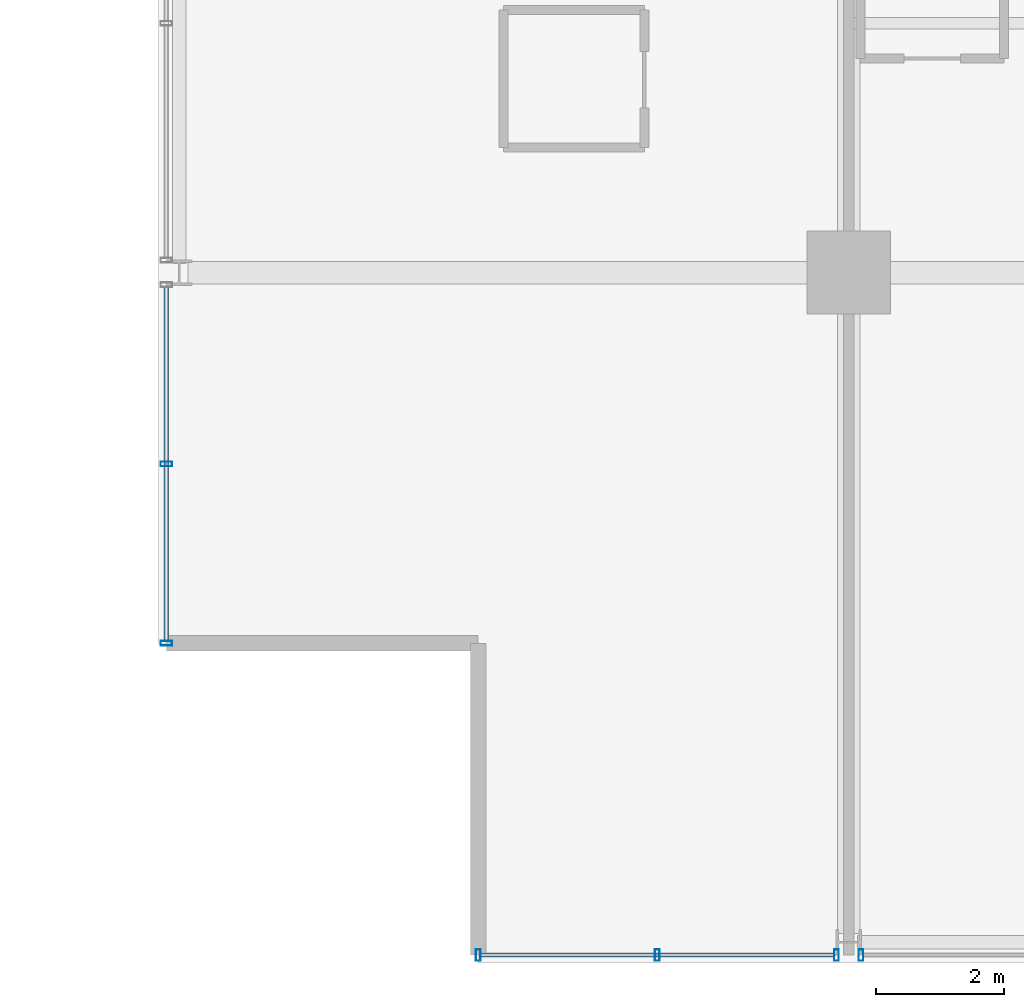
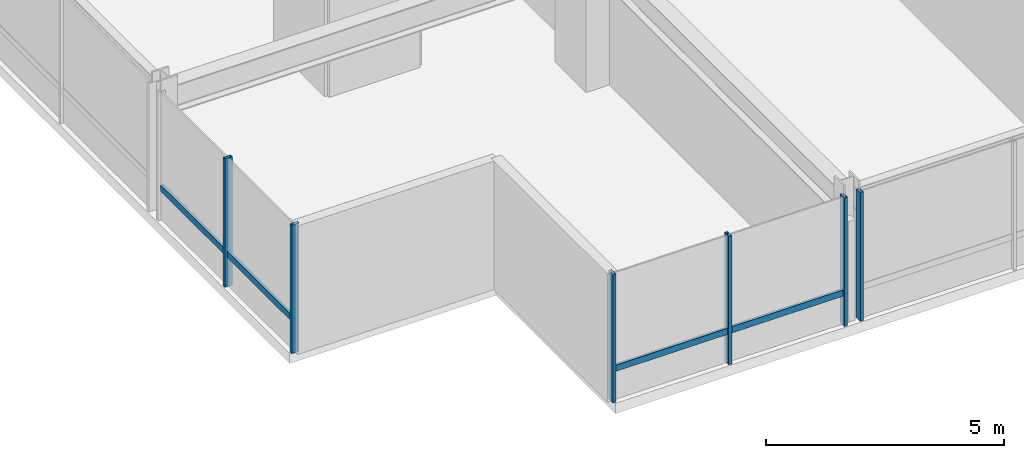
# One storey, part 2 of 32: 8 members, 3 elements without a shape of their own.
"""IFC4 building model written with IfcOpenShell, lengths in metres."""

import ifcopenshell
import ifcopenshell.guid

model = None  # the IFC model being written
_history = None  # IfcOwnerHistory: only IFC2X3 demands one
_inside = {}  # id of a spatial element -> (the spatial element, [elements in it])
_under = {}  # id of a project, library or spatial element -> (it, [spatial elements below it])
_declared = {}  # id of a project -> (the project, [libraries it declares])
_typed = {}  # id of a type object -> (the type object, [elements of that type])
_made_of = {}  # id of a material, layer set ... -> (it, [elements and type objects made of it])


def new_model(schema):
    """Start an empty IFC model of exactly this schema.

    Asked for "IFC4X3", IfcOpenShell would pick the latest addendum, in which some entities
    have other attributes; the version numbers below select the first issue.
    IFC2X3 requires an IfcOwnerHistory on every rooted entity: one is made here for all.
    """
    global model, _history
    if schema == "IFC4X3":
        model = ifcopenshell.file(schema_version=(4, 3, 0, 0))
    else:
        model = ifcopenshell.file(schema=schema)
    _inside.clear()
    _under.clear()
    _declared.clear()
    _typed.clear()
    _made_of.clear()
    _history = None
    if model.schema == "IFC2X3":
        org = make("IfcOrganization", Name="unknown")
        user = make(
            "IfcPersonAndOrganization",
            ThePerson=make("IfcPerson", FamilyName="unknown"),
            TheOrganization=org,
        )
        app = make(
            "IfcApplication",
            ApplicationDeveloper=org,
            Version="unknown",
            ApplicationFullName="unknown",
            ApplicationIdentifier="unknown",
        )
        _history = make(
            "IfcOwnerHistory",
            OwningUser=user,
            OwningApplication=app,
            ChangeAction="ADDED",
            CreationDate=0,
        )
    return model


def make(cls, **values):
    """One entity of the class cls with the attributes given. An attribute that is None is left unset."""
    return model.create_entity(
        cls, **{name: value for name, value in values.items() if value is not None}
    )


def rooted(cls, **values):
    """An entity with a GlobalId (a new one), such as an element, a storey or a relation."""
    return make(cls, GlobalId=ifcopenshell.guid.new(), OwnerHistory=_history, **values)


def si_unit(unit_type, name, prefix=None):
    """IfcSIUnit, for example si_unit("LENGTHUNIT", "METRE", prefix="MILLI")."""
    return make("IfcSIUnit", UnitType=unit_type, Prefix=prefix, Name=name)


def assignment(units):
    """IfcUnitAssignment: the units of a project."""
    return None if units is None else make("IfcUnitAssignment", Units=units)


def point(xyz):
    """IfcCartesianPoint."""
    return None if xyz is None else make("IfcCartesianPoint", Coordinates=xyz)


def direction(xyz):
    """IfcDirection."""
    return None if xyz is None else make("IfcDirection", DirectionRatios=xyz)


def frame(location, z_axis=None, x_axis=None):
    """IfcAxis2Placement3D, a coordinate frame: its origin and axes. An axis left out is left unset."""
    return make(
        "IfcAxis2Placement3D",
        Location=point(location),
        Axis=direction(z_axis),
        RefDirection=direction(x_axis),
    )


def frame_2d(location, x_axis=None):
    """IfcAxis2Placement2D, a coordinate frame in the plane: its origin and x axis."""
    return make(
        "IfcAxis2Placement2D", Location=point(location), RefDirection=direction(x_axis)
    )


def origin():
    """The frame at (0, 0, 0) with its axes left unset."""
    return frame((0.0, 0.0, 0.0))


def origin_2d():
    """The frame at (0, 0) in the plane with its x axis left unset."""
    return frame_2d((0.0, 0.0))


def place(relative_to, where):
    """IfcLocalPlacement: puts the frame where relative to a parent placement (None: the world)."""
    return make(
        "IfcLocalPlacement", PlacementRelTo=relative_to, RelativePlacement=where
    )


def context(
    kind, dimensions, precision=None, world=None, true_north=None, identifier=None
):
    """IfcGeometricRepresentationContext, for example the 3D "Model" context."""
    return make(
        "IfcGeometricRepresentationContext",
        ContextIdentifier=identifier,
        ContextType=kind,
        CoordinateSpaceDimension=dimensions,
        Precision=precision,
        WorldCoordinateSystem=world,
        TrueNorth=true_north,
    )


def subcontext(parent, identifier, kind, view, scale=None):
    """IfcGeometricRepresentationSubContext, for example "Body" below "Model"."""
    return make(
        "IfcGeometricRepresentationSubContext",
        ContextIdentifier=identifier,
        ContextType=kind,
        ParentContext=parent,
        TargetScale=scale,
        TargetView=view,
    )


def project(units=None, contexts=None):
    """IfcProject with its units and contexts."""
    return rooted(
        "IfcProject",
        Name="project",
        RepresentationContexts=contexts,
        UnitsInContext=assignment(units),
    )


def spatial(cls, under=None, at=None, **own):
    """A site, building, storey or space (cls), placed at a placement, below another one or the project."""
    s = rooted(cls, ObjectPlacement=at, **own)
    if under is not None:
        _under.setdefault(under.id(), (under, []))[1].append(s)
    return s


def profile(cls, at=None, kind="AREA", **sizes):
    """A parametric profile (cls). Its sizes go by their IFC names, for example OverallWidth=200.0."""
    return make(cls, ProfileType=kind, Position=at, **sizes)


def hollow_rectangle(**sizes):
    """IfcRectangleHollowProfileDef."""
    return profile("IfcRectangleHollowProfileDef", **sizes)


def extrude(swept, where, along, depth):
    """IfcExtrudedAreaSolid: the profile swept, set in the frame where, extruded along a direction by depth."""
    return make(
        "IfcExtrudedAreaSolid",
        SweptArea=swept,
        Position=where,
        ExtrudedDirection=direction(along),
        Depth=depth,
    )


def shape(context_of_items, identifier, shape_type, items):
    """IfcShapeRepresentation: the items that make up one representation, for example the "Body"."""
    return make(
        "IfcShapeRepresentation",
        ContextOfItems=context_of_items,
        RepresentationIdentifier=identifier,
        RepresentationType=shape_type,
        Items=items,
    )


def material(Name=None, Category=None):
    """IfcMaterial."""
    return make("IfcMaterial", Name=Name, Category=Category)


def layer(
    of_material, thickness, ventilated=None, Name=None, Category=None, Priority=None
):
    """IfcMaterialLayer: one layer of a wall or slab, of a material (None: an air gap)."""
    return make(
        "IfcMaterialLayer",
        Material=of_material,
        LayerThickness=thickness,
        IsVentilated=ventilated,
        Name=Name,
        Category=Category,
        Priority=Priority,
    )


def layer_set(layers, Name=None):
    """IfcMaterialLayerSet."""
    return make("IfcMaterialLayerSet", MaterialLayers=layers, LayerSetName=Name)


def material_profile(
    of_material, cross_section, Name=None, Category=None, Priority=None
):
    """IfcMaterialProfile: a cross section and its material."""
    return make(
        "IfcMaterialProfile",
        Name=Name,
        Material=of_material,
        Profile=cross_section,
        Priority=Priority,
        Category=Category,
    )


def profile_set(profiles, Name=None, composite=None):
    """IfcMaterialProfileSet."""
    return make(
        "IfcMaterialProfileSet",
        Name=Name,
        MaterialProfiles=profiles,
        CompositeProfile=composite,
    )


def made_of(thing, what):
    """Note that an element or type object is made of a material, layer set ...; save() writes the relation."""
    if what is not None:
        _made_of.setdefault(what.id(), (what, []))[1].append(thing)
    return thing


def type_object(cls, material=None, **own):
    """A type object (cls), such as IfcWallType, which elements share."""
    return made_of(rooted(cls, **own), material)


def element(
    cls,
    number,
    at=None,
    inside=None,
    cuts=None,
    type_object=None,
    material=None,
    context=None,
    identifier="Body",
    shape_type=None,
    held_by="IfcProductDefinitionShape",
    body=None,
    shapes=None,
    **own,
):
    """One element of the class cls, such as IfcWall. Its Tag is "e" and its number.

    at: its placement. inside: the storey or other place that contains it. cuts: it is an
    opening in that element (IfcRelVoidsElement). A single representation is given by context,
    identifier, shape_type and body (its items); several are given by shapes. held_by: the class
    of the entity that holds the representations. save() writes the other relations.
    """
    e = rooted(cls, Tag="e%d" % number, ObjectPlacement=at, **own)
    if body is not None:
        shapes = [shape(context, identifier, shape_type, body)]
    if shapes is not None:
        e.Representation = make(held_by, Representations=shapes)
    if inside is not None:
        _inside.setdefault(inside.id(), (inside, []))[1].append(e)
    if cuts is not None:
        rooted(
            "IfcRelVoidsElement", RelatingBuildingElement=cuts, RelatedOpeningElement=e
        )
    if type_object is not None:
        _typed.setdefault(type_object.id(), (type_object, []))[1].append(e)
    return made_of(e, material)


def aggregate(whole, parts):
    """IfcRelAggregates: a whole, such as a stair, and the parts it consists of."""
    return rooted("IfcRelAggregates", RelatingObject=whole, RelatedObjects=parts)


def save(model, path):
    """Write the relations noted so far, then the file.

    IfcRelAggregates (storeys below a building ...), IfcRelContainedInSpatialStructure (elements
    in a storey), IfcRelDefinesByType, IfcRelAssociatesMaterial and IfcRelDeclares: one each for
    every whole, place, type object, material and project.
    """
    for whole, parts in _under.values():
        aggregate(whole, parts)
    for where, things in _inside.values():
        rooted(
            "IfcRelContainedInSpatialStructure",
            RelatedElements=things,
            RelatingStructure=where,
        )
    for kind, things in _typed.values():
        rooted("IfcRelDefinesByType", RelatedObjects=things, RelatingType=kind)
    for what, things in _made_of.values():
        rooted("IfcRelAssociatesMaterial", RelatedObjects=things, RelatingMaterial=what)
    for by, libraries in _declared.values():
        rooted("IfcRelDeclares", RelatingContext=by, RelatedDefinitions=libraries)
    model.write(path)


model = new_model("IFC4")

# Units and contexts
model_context = context("Model", 3, precision=1e-05, world=origin(), true_north=direction((0.0, 1.0)))
body_context = subcontext(model_context, "Body", "Model", "MODEL_VIEW")
ifc_project = project(units=[si_unit("LENGTHUNIT", "METRE"), si_unit("AREAUNIT", "SQUARE_METRE"), si_unit("VOLUMEUNIT", "CUBIC_METRE"), si_unit("PLANEANGLEUNIT", "RADIAN"), si_unit("MASSUNIT", "GRAM", prefix="KILO")], contexts=[model_context])

# Site, building, storey
site_placement = place(None, origin())
site = spatial("IfcSite", under=ifc_project, at=site_placement, CompositionType="ELEMENT")
building_placement = place(site_placement, origin())
building = spatial("IfcBuilding", under=site, at=building_placement, Name="Drelvath Grand Hotel", CompositionType="ELEMENT")
storey_placement = place(building_placement, frame((0.0, 0.0, 189.449951171875)))
storey = spatial("IfcBuildingStorey", under=building, at=storey_placement, Name="L49", CompositionType="ELEMENT", Elevation=189.449951171875)

# Curtain wall, member
ifc_material = material(Name="Brushed Pale-Silver Anodised Aluminium Frame", Category="aluminium")
ifc_layer = layer(ifc_material, 0.199951171875)
ifc_layer_set = layer_set([ifc_layer], Name="Brushed Pale-Silver Anodised Aluminium Frame")
curtain_wall_type = type_object("IfcCurtainWallType", Name="Stick Curtain Wall CW-04 Brushed Silver Upper-Mid", PredefinedType="NOTDEFINED", material=ifc_layer_set)
curtain_wall_1_placement = place(storey_placement, origin())
curtain_wall_1 = element("IfcCurtainWall", 1, at=curtain_wall_1_placement, inside=storey, type_object=curtain_wall_type, Name="L49 CW-04 Curtain Wall CW04-L49-WS1", PredefinedType="NOTDEFINED")
ifc_material_profile_1 = material_profile(ifc_material, hollow_rectangle(XDim=0.06494140625, YDim=0.159912109375, WallThickness=0.00390625, at=origin_2d()), Name="HSS160X65X4")
ifc_profile_set_1 = profile_set([ifc_material_profile_1], Name="Brushed Pale-Silver Anodised Aluminium Frame")
member_type_1 = type_object("IfcMemberType", Name="Curtain Wall Horizontal Transom CW-04 HSS160X65X4", PredefinedType="USERDEFINED", material=ifc_profile_set_1)
member_1_placement = place(storey_placement, frame((-26.8798828125, 5.0400390625, 0.822509765625), z_axis=(0.0, 1.0, 0.0), x_axis=(-1.0, 0.0, 0.0)))
member_1 = element("IfcMember", 2, at=member_1_placement, type_object=member_type_1, Name="CW04-L49-WS1 Sill Transom", ObjectType="TRANSOM", PredefinedType="USERDEFINED", context=body_context, shape_type="SweptSolid", body=[
    extrude(hollow_rectangle(XDim=0.06494140625, YDim=0.159912109375, WallThickness=0.00390625, at=origin_2d()), origin(), (0.0, 0.0, 1.0), 5.5283203125),
])

curtain_wall_2_placement = place(storey_placement, origin())
curtain_wall_2 = element("IfcCurtainWall", 3, at=curtain_wall_2_placement, inside=storey, type_object=curtain_wall_type, Name="L49 CW-04 Curtain Wall CW04-L49-SW1", PredefinedType="NOTDEFINED")
member_2_placement = place(storey_placement, frame((-16.431640625, 0.1201171875, 0.822509765625), z_axis=(-1.0, 0.0, 0.0), x_axis=(0.0, -1.0, 0.0)))
member_2 = element("IfcMember", 4, at=member_2_placement, type_object=member_type_1, Name="CW04-L49-SW1 Sill Transom", ObjectType="TRANSOM", PredefinedType="USERDEFINED", context=body_context, shape_type="SweptSolid", body=[
    extrude(hollow_rectangle(XDim=0.06494140625, YDim=0.159912109375, WallThickness=0.00390625, at=origin_2d()), origin(), (0.0, 0.0, 1.0), 5.5283203125),
])

# Member
ifc_material_profile_2 = material_profile(ifc_material, hollow_rectangle(XDim=0.074951171875, YDim=0.179931640625, WallThickness=0.0048828125, at=origin_2d()), Name="HSS180X75X5")
ifc_profile_set_2 = profile_set([ifc_material_profile_2], Name="Brushed Pale-Silver Anodised Aluminium Frame")
member_type_2 = type_object("IfcMemberType", Name="Curtain Wall Vertical Mullion CW-04 HSS180X75X5", PredefinedType="MULLION", material=ifc_profile_set_2)
member_3_placement = place(storey_placement, frame((-26.8798828125, 5.0, 0.0), z_axis=(0.0, 0.0, 1.0), x_axis=(0.0, 1.0, 0.0)))
member_3 = element("IfcMember", 5, at=member_3_placement, type_object=member_type_2, Name="CW04-L49-WS1 Mullion 1", PredefinedType="MULLION", context=body_context, shape_type="SweptSolid", body=[
    extrude(hollow_rectangle(XDim=0.074951171875, YDim=0.179931640625, WallThickness=0.0048828125, at=origin_2d()), origin(), (0.0, 0.0, 1.0), 3.2900390625),
])

member_4_placement = place(storey_placement, frame((-26.8798828125, 7.80419921875, 0.0), z_axis=(0.0, 0.0, 1.0), x_axis=(0.0, 1.0, 0.0)))
member_4 = element("IfcMember", 6, at=member_4_placement, type_object=member_type_2, Name="CW04-L49-WS1 Mullion 2", PredefinedType="MULLION", context=body_context, shape_type="SweptSolid", body=[
    extrude(hollow_rectangle(XDim=0.074951171875, YDim=0.179931640625, WallThickness=0.0048828125, at=origin_2d()), origin(), (0.0, 0.0, 1.0), 3.2900390625),
])

aggregate(curtain_wall_1, [member_3, member_4, member_1])

member_5_placement = place(storey_placement, frame((-16.3916015625, 0.1201171875, 0.0), z_axis=(0.0, 0.0, 1.0), x_axis=(1.0, 0.0, 0.0)))
member_5 = element("IfcMember", 7, at=member_5_placement, type_object=member_type_2, Name="CW04-L49-SW1 Mullion 1", PredefinedType="MULLION", context=body_context, shape_type="SweptSolid", body=[
    extrude(hollow_rectangle(XDim=0.074951171875, YDim=0.179931640625, WallThickness=0.0048828125, at=origin_2d()), origin(), (0.0, 0.0, 1.0), 3.2900390625),
])

member_6_placement = place(storey_placement, frame((-19.19580078125, 0.1201171875, 0.0), z_axis=(0.0, 0.0, 1.0), x_axis=(1.0, 0.0, 0.0)))
member_6 = element("IfcMember", 8, at=member_6_placement, type_object=member_type_2, Name="CW04-L49-SW1 Mullion 2", PredefinedType="MULLION", context=body_context, shape_type="SweptSolid", body=[
    extrude(hollow_rectangle(XDim=0.074951171875, YDim=0.179931640625, WallThickness=0.0048828125, at=origin_2d()), origin(), (0.0, 0.0, 1.0), 3.2900390625),
])

member_7_placement = place(storey_placement, frame((-22.0, 0.1201171875, 0.0), z_axis=(0.0, 0.0, 1.0), x_axis=(1.0, 0.0, 0.0)))
member_7 = element("IfcMember", 9, at=member_7_placement, type_object=member_type_2, Name="CW04-L49-SW1 Mullion 3", PredefinedType="MULLION", context=body_context, shape_type="SweptSolid", body=[
    extrude(hollow_rectangle(XDim=0.074951171875, YDim=0.179931640625, WallThickness=0.0048828125, at=origin_2d()), origin(), (0.0, 0.0, 1.0), 3.2900390625),
])

aggregate(curtain_wall_2, [member_5, member_6, member_7, member_2])

# Curtain wall, member
curtain_wall_3_placement = place(storey_placement, origin())
curtain_wall_3 = element("IfcCurtainWall", 10, at=curtain_wall_3_placement, inside=storey, type_object=curtain_wall_type, Name="L49 CW-04 Curtain Wall CW04-L49-SW2", PredefinedType="NOTDEFINED")
member_8_placement = place(storey_placement, frame((-16.00830078125, 0.1201171875, 0.0), z_axis=(0.0, 0.0, 1.0), x_axis=(1.0, 0.0, 0.0)))
member_8 = element("IfcMember", 11, at=member_8_placement, type_object=member_type_2, Name="CW04-L49-SW2 Mullion 3", PredefinedType="MULLION", context=body_context, shape_type="SweptSolid", body=[
    extrude(hollow_rectangle(XDim=0.074951171875, YDim=0.179931640625, WallThickness=0.0048828125, at=origin_2d()), origin(), (0.0, 0.0, 1.0), 3.2900390625),
])
aggregate(curtain_wall_3, [member_8])

save(model, "model.ifc")
